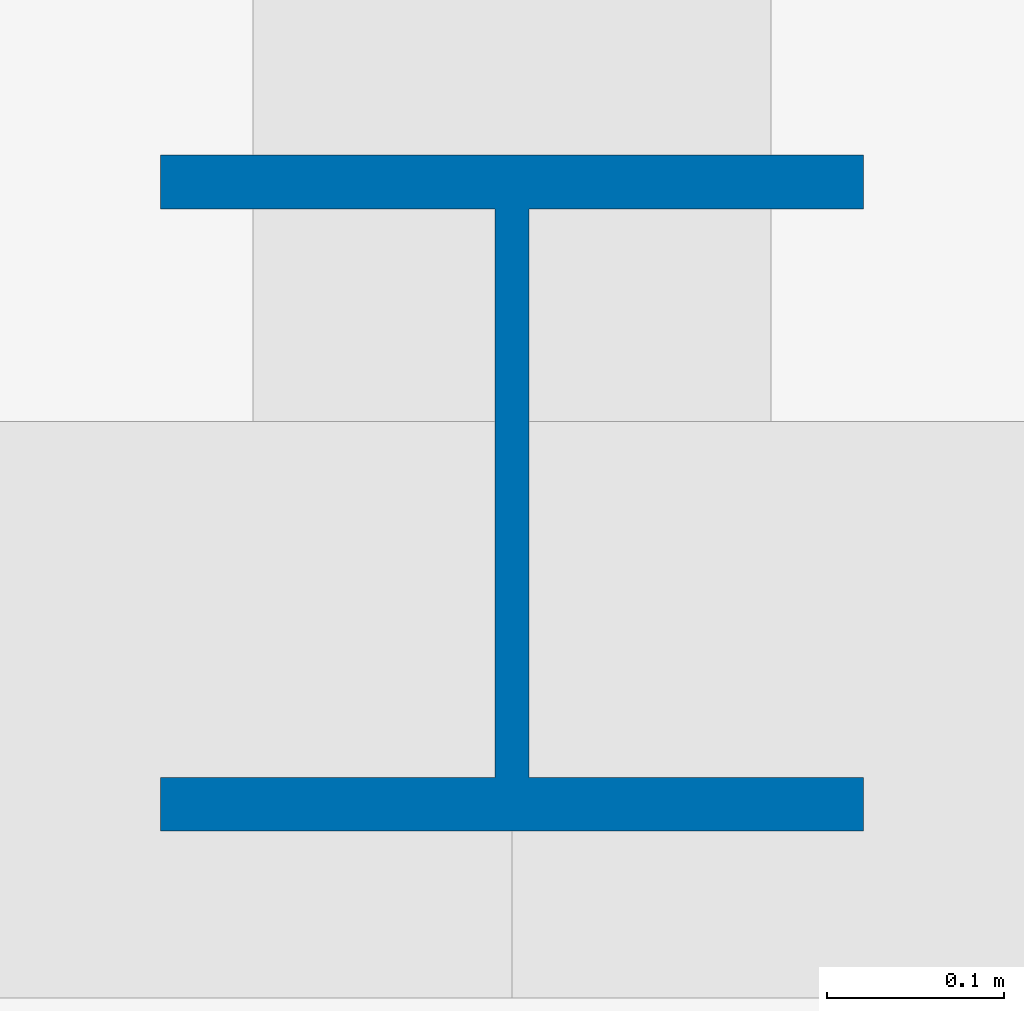
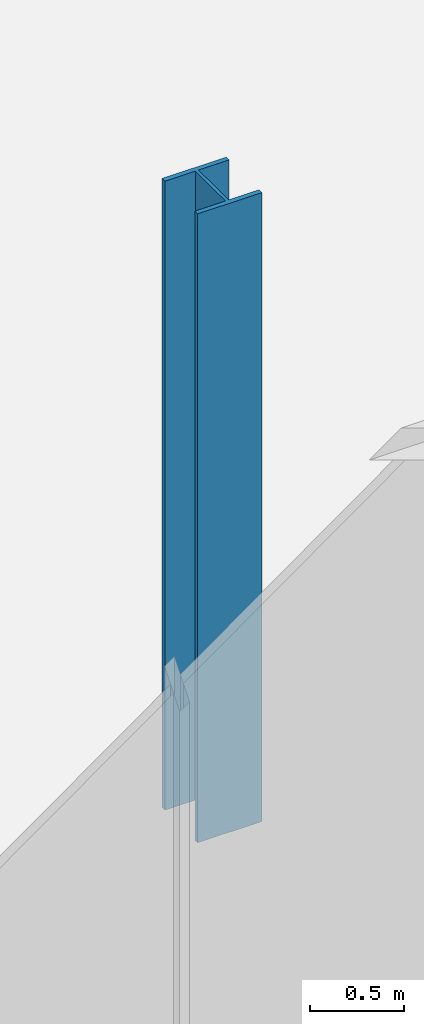
# One storey, part 2 of 21: 1 column.
"""IFC4 building model written with IfcOpenShell, lengths in metres."""

from ifc_helpers import new_model, si_unit, direction, frame, origin, origin_2d, place, context, subcontext, project, spatial, i_section, extrude, material, material_profile, profile_set, type_object, element, save


model = new_model("IFC4")

# Units and contexts
model_context = context("Model", 3, precision=1e-05, world=origin(), true_north=direction((0.0, 1.0)))
body_context = subcontext(model_context, "Body", "Model", "MODEL_VIEW")
ifc_project = project(units=[si_unit("LENGTHUNIT", "METRE"), si_unit("AREAUNIT", "SQUARE_METRE"), si_unit("VOLUMEUNIT", "CUBIC_METRE"), si_unit("PLANEANGLEUNIT", "RADIAN"), si_unit("MASSUNIT", "GRAM", prefix="KILO")], contexts=[model_context])

# Site, building, storey
site_placement = place(None, origin())
site = spatial("IfcSite", under=ifc_project, at=site_placement, CompositionType="ELEMENT")
building_placement = place(site_placement, origin())
building = spatial("IfcBuilding", under=site, at=building_placement, Name="Bicima Exchange Tower", CompositionType="ELEMENT")
storey_placement = place(building_placement, frame((0.0, 0.0, 181.39990234375)))
storey = spatial("IfcBuildingStorey", under=building, at=storey_placement, Name="L40", CompositionType="ELEMENT", Elevation=181.39990234375)

# Column
ifc_material = material(Name="Steel ASTM A992 Gr 50", Category="steel")
ifc_material_profile = material_profile(ifc_material, i_section(OverallWidth=0.396240234375, OverallDepth=0.381103515625, WebThickness=0.01904296875, FlangeThickness=0.0302734375, at=origin_2d()))
ifc_profile_set = profile_set([ifc_material_profile], Name="Steel ASTM A992 Gr 50")
column_type = type_object("IfcColumnType", Name="Perimeter column W14x159", PredefinedType="COLUMN", material=ifc_profile_set)
column_placement = place(storey_placement, frame((26.10009765625, -31.181884765625, 0.0), z_axis=(0.0, 0.0, 1.0), x_axis=(1.0, 0.0, 0.0)))
element("IfcColumn", 1, at=column_placement, inside=storey, type_object=column_type, Name="Perimeter column grav+26.1f", PredefinedType="COLUMN", context=body_context, shape_type="SweptSolid", body=[
    extrude(i_section(OverallWidth=0.396240234375, OverallDepth=0.381103515625, WebThickness=0.01904296875, FlangeThickness=0.0302734375, at=origin_2d()), origin(), (0.0, 0.0, 1.0), 4.10009765625),
])

save(model, "model.ifc")
